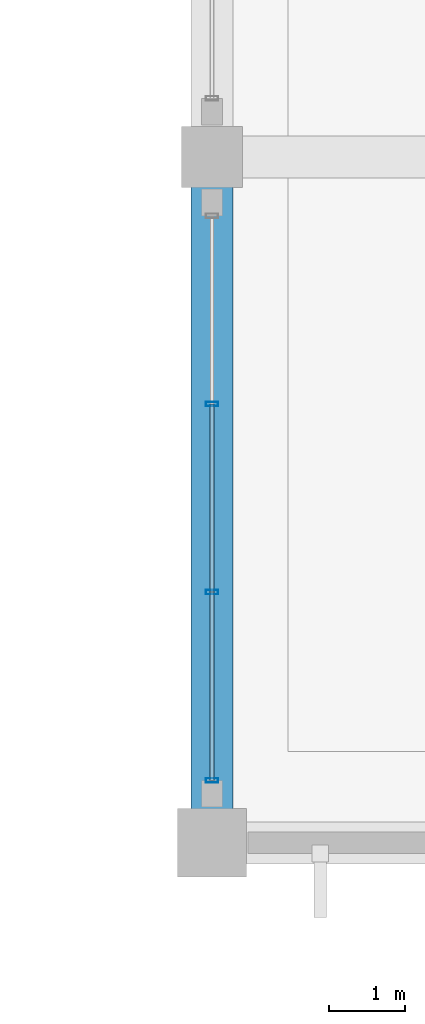
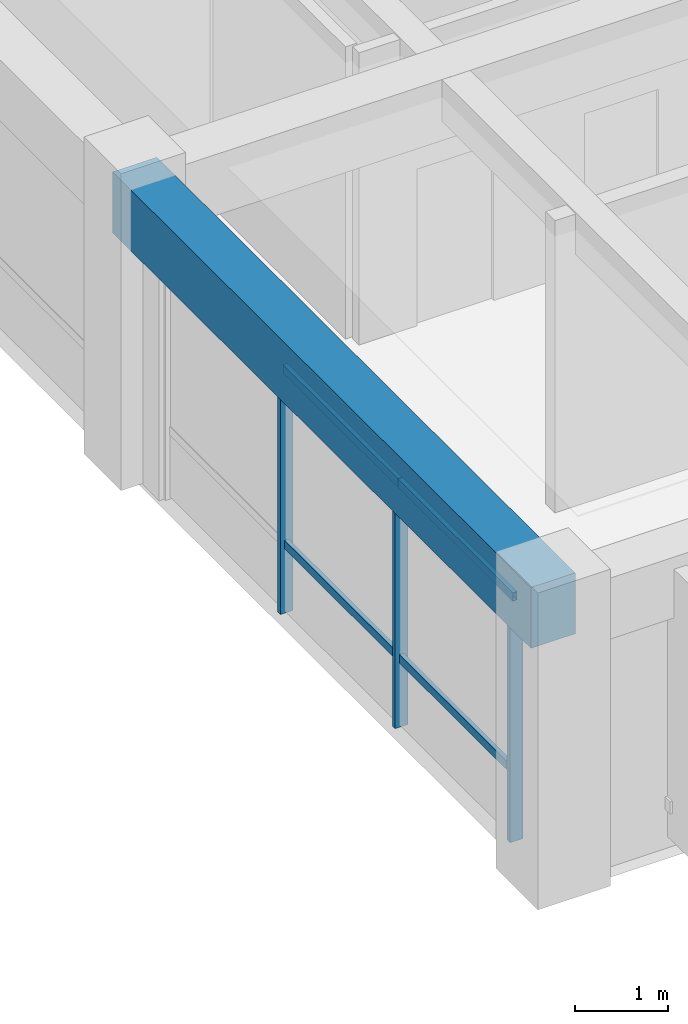
# One storey, part 9 of 33: 7 members, 1 beam, 1 element without a shape of its own.
"""IFC4 building model written with IfcOpenShell, lengths in metres."""

from ifc_helpers import new_model, si_unit, direction, frame, origin, origin_2d, place, context, subcontext, project, spatial, rectangle, hollow_rectangle, extrude, material, material_profile, profile_set, type_object, element, aggregate, save


model = new_model("IFC4")

# Units and contexts
model_context = context("Model", 3, precision=1e-05, world=origin(), true_north=direction((0.0, 1.0)))
body_context = subcontext(model_context, "Body", "Model", "MODEL_VIEW")
ifc_project = project(units=[si_unit("LENGTHUNIT", "METRE"), si_unit("AREAUNIT", "SQUARE_METRE"), si_unit("VOLUMEUNIT", "CUBIC_METRE"), si_unit("PLANEANGLEUNIT", "RADIAN"), si_unit("MASSUNIT", "GRAM", prefix="KILO")], contexts=[model_context])

# Site, building, storey
site_placement = place(None, origin())
site = spatial("IfcSite", under=ifc_project, at=site_placement, CompositionType="ELEMENT")
building_placement = place(site_placement, origin())
building = spatial("IfcBuilding", under=site, at=building_placement, Name="Ologun Quay Terminus", CompositionType="ELEMENT")
storey_placement = place(building_placement, frame((0.0, 0.0, 18.300048828125)))
storey = spatial("IfcBuildingStorey", under=building, at=storey_placement, Name="L04", CompositionType="ELEMENT", Elevation=18.300048828125)

# Curtain wall, members
ifc_material_1 = material(Name="Aluminium 6063-T6", Category="aluminium")
curtain_wall_type = type_object("IfcCurtainWallType", Name="Rain-Garden East Courtyard Curtain Wall L04 9200x3800", PredefinedType="USERDEFINED", material=ifc_material_1)
curtain_wall_placement = place(storey_placement, origin())
curtain_wall = element("IfcCurtainWall", 1, at=curtain_wall_placement, inside=storey, type_object=curtain_wall_type, Name="CW-21 Curtain Wall CW-L04-149", ObjectType="UNITISED CURTAIN WALL", PredefinedType="USERDEFINED")
ifc_material_2 = material(Name="Aluminium 6063-T6", Category="aluminium")
ifc_material_profile_1 = material_profile(ifc_material_2, hollow_rectangle(XDim=0.06005859375, YDim=0.159912109375, WallThickness=0.00390625, at=origin_2d()), Name="ALU 160x60x4")
ifc_profile_set_1 = profile_set([ifc_material_profile_1], Name="Aluminium 6063-T6")
member_type_1 = type_object("IfcMemberType", Name="Courtyard Screen Mullion 160x65", PredefinedType="MULLION", material=ifc_profile_set_1)
member_1_placement = place(storey_placement, frame((115.0, 86.6201171875, 0.0), z_axis=(0.0, 0.0, 1.0), x_axis=(0.0, 1.0, 0.0)))
member_1 = element("IfcMember", 2, at=member_1_placement, type_object=member_type_1, Name="CW-L04-149 Mullion 1", PredefinedType="MULLION", context=body_context, shape_type="SweptSolid", body=[
    extrude(hollow_rectangle(XDim=0.06005859375, YDim=0.159912109375, WallThickness=0.00390625, at=origin_2d()), origin(), (0.0, 0.0, 1.0), 3.889892578125),
])
member_2_placement = place(storey_placement, frame((115.0, 89.090087890625, 0.0), z_axis=(0.0, 0.0, 1.0), x_axis=(0.0, 1.0, 0.0)))
member_2 = element("IfcMember", 3, at=member_2_placement, type_object=member_type_1, Name="CW-L04-149 Mullion 2", PredefinedType="MULLION", context=body_context, shape_type="SweptSolid", body=[
    extrude(hollow_rectangle(XDim=0.06005859375, YDim=0.159912109375, WallThickness=0.00390625, at=origin_2d()), origin(), (0.0, 0.0, 1.0), 3.889892578125),
])
member_3_placement = place(storey_placement, frame((115.0, 91.56005859375, 0.0), z_axis=(0.0, 0.0, 1.0), x_axis=(0.0, 1.0, 0.0)))
member_3 = element("IfcMember", 4, at=member_3_placement, type_object=member_type_1, Name="CW-L04-149 Mullion 3", PredefinedType="MULLION", context=body_context, shape_type="SweptSolid", body=[
    extrude(hollow_rectangle(XDim=0.06005859375, YDim=0.159912109375, WallThickness=0.00390625, at=origin_2d()), origin(), (0.0, 0.0, 1.0), 3.889892578125),
])
ifc_material_3 = material(Name="Aluminium 6063-T6", Category="aluminium")
ifc_material_profile_2 = material_profile(ifc_material_3, hollow_rectangle(XDim=0.054931640625, YDim=0.110107421875, WallThickness=0.00390625, at=origin_2d()), Name="ALU 110x55x4")
ifc_profile_set_2 = profile_set([ifc_material_profile_2], Name="Aluminium 6063-T6")
member_type_2 = type_object("IfcMemberType", Name="Courtyard Screen Transom 110x55", PredefinedType="USERDEFINED", material=ifc_profile_set_2)
member_4_placement = place(storey_placement, frame((115.0, 86.6201171875, 0.89990234375), z_axis=(0.0, 1.0, 0.0), x_axis=(-1.0, 0.0, 0.0)))
member_4 = element("IfcMember", 5, at=member_4_placement, type_object=member_type_2, Name="CW-L04-149 Transom B1-1", ObjectType="TRANSOM", PredefinedType="USERDEFINED", context=body_context, shape_type="SweptSolid", body=[
    extrude(hollow_rectangle(XDim=0.054931640625, YDim=0.110107421875, WallThickness=0.00390625, at=origin_2d()), origin(), (0.0, 0.0, 1.0), 2.469970703125),
])
member_5_placement = place(storey_placement, frame((115.0, 86.6201171875, 3.18994140625), z_axis=(0.0, 1.0, 0.0), x_axis=(-1.0, 0.0, 0.0)))
member_5 = element("IfcMember", 6, at=member_5_placement, type_object=member_type_2, Name="CW-L04-149 Transom B1-2", ObjectType="TRANSOM", PredefinedType="USERDEFINED", context=body_context, shape_type="SweptSolid", body=[
    extrude(hollow_rectangle(XDim=0.054931640625, YDim=0.110107421875, WallThickness=0.00390625, at=origin_2d()), origin(), (0.0, 0.0, 1.0), 2.469970703125),
])
member_6_placement = place(storey_placement, frame((115.0, 89.090087890625, 0.89990234375), z_axis=(0.0, 1.0, 0.0), x_axis=(-1.0, 0.0, 0.0)))
member_6 = element("IfcMember", 7, at=member_6_placement, type_object=member_type_2, Name="CW-L04-149 Transom B2-1", ObjectType="TRANSOM", PredefinedType="USERDEFINED", context=body_context, shape_type="SweptSolid", body=[
    extrude(hollow_rectangle(XDim=0.054931640625, YDim=0.110107421875, WallThickness=0.00390625, at=origin_2d()), origin(), (0.0, 0.0, 1.0), 2.469970703125),
])
member_7_placement = place(storey_placement, frame((115.0, 89.090087890625, 3.18994140625), z_axis=(0.0, 1.0, 0.0), x_axis=(-1.0, 0.0, 0.0)))
member_7 = element("IfcMember", 8, at=member_7_placement, type_object=member_type_2, Name="CW-L04-149 Transom B2-2", ObjectType="TRANSOM", PredefinedType="USERDEFINED", context=body_context, shape_type="SweptSolid", body=[
    extrude(hollow_rectangle(XDim=0.054931640625, YDim=0.110107421875, WallThickness=0.00390625, at=origin_2d()), origin(), (0.0, 0.0, 1.0), 2.469970703125),
])
aggregate(curtain_wall, [member_1, member_2, member_3, member_4, member_5, member_6, member_7])

# Beam
ifc_material_4 = material(Name="Concrete C40/50", Category="concrete")
ifc_material_profile_3 = material_profile(ifc_material_4, rectangle(XDim=0.550048828125, YDim=0.800048828125, at=origin_2d()), Name="RC 550x800")
ifc_profile_set_3 = profile_set([ifc_material_profile_3], Name="Concrete C40/50")
beam_type = type_object("IfcBeamType", Name="Courtyard Wing Primary Girder 550x800", PredefinedType="BEAM", material=ifc_profile_set_3)
beam_placement = place(storey_placement, frame((115.0, 85.800048828125, 3.5), z_axis=(0.0, 1.0, 0.0), x_axis=(-1.0, 0.0, 0.0)))
element("IfcBeam", 9, at=beam_placement, inside=storey, type_object=beam_type, Name="B4 Beam 11/G2 L04", PredefinedType="BEAM", context=body_context, shape_type="SweptSolid", body=[
    extrude(rectangle(XDim=0.550048828125, YDim=0.800048828125, at=origin_2d()), origin(), (0.0, 0.0, 1.0), 9.0),
])

save(model, "model.ifc")
